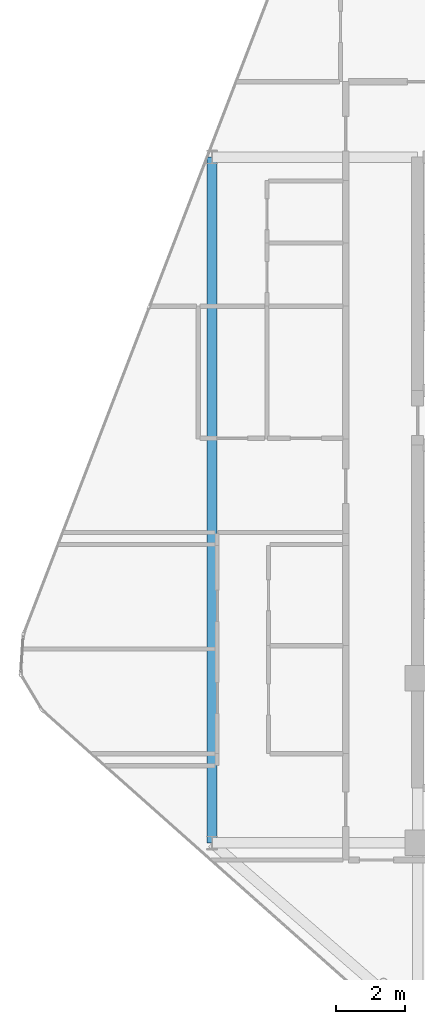
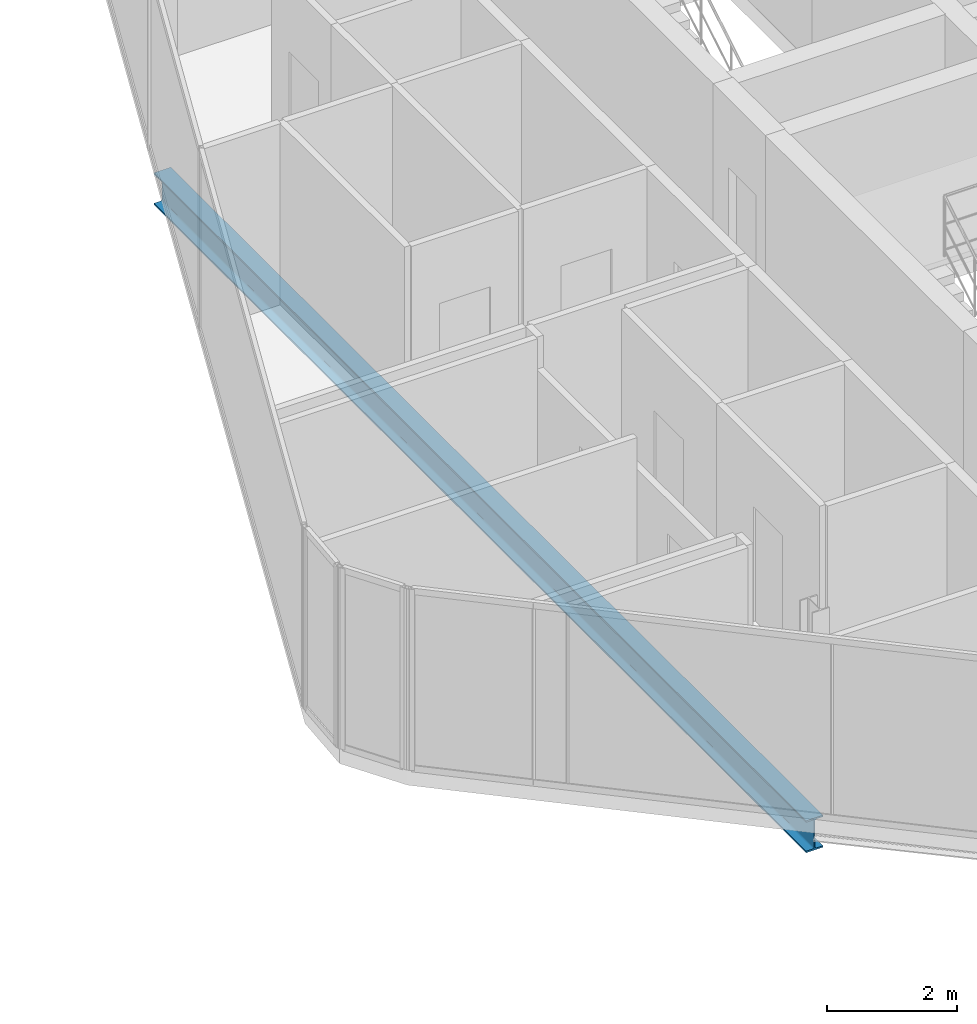
# One storey, part 9 of 27: 1 beam.
"""IFC4 building model written with IfcOpenShell, lengths in metres."""

from ifc_helpers import new_model, si_unit, direction, frame, origin, origin_2d, place, context, subcontext, project, spatial, i_section, extrude, material, material_profile, profile_set, type_object, element, save


model = new_model("IFC4")

# Units and contexts
model_context = context("Model", 3, precision=1e-05, world=origin(), true_north=direction((0.0, 1.0)))
body_context = subcontext(model_context, "Body", "Model", "MODEL_VIEW")
ifc_project = project(units=[si_unit("LENGTHUNIT", "METRE"), si_unit("AREAUNIT", "SQUARE_METRE"), si_unit("VOLUMEUNIT", "CUBIC_METRE"), si_unit("PLANEANGLEUNIT", "RADIAN"), si_unit("MASSUNIT", "GRAM", prefix="KILO")], contexts=[model_context])

# Site, building, storey
site_placement = place(None, origin())
site = spatial("IfcSite", under=ifc_project, at=site_placement, CompositionType="ELEMENT")
building_placement = place(site_placement, origin())
building = spatial("IfcBuilding", under=site, at=building_placement, Name="Keshet Zoharim Tower", CompositionType="ELEMENT")
storey_placement = place(building_placement, frame((0.0, 0.0, 262.10009765625)))
storey = spatial("IfcBuildingStorey", under=building, at=storey_placement, Name="L65", CompositionType="ELEMENT", Elevation=262.10009765625)

# Beam
ifc_material = material(Name="Steel S355", Category="steel")
ifc_material_profile = material_profile(ifc_material, i_section(OverallWidth=0.300048828125, OverallDepth=0.60009765625, WebThickness=0.015380859375, FlangeThickness=0.030029296875, FilletRadius=0.027099609375, at=origin_2d()), Name="HEB600")
ifc_profile_set = profile_set([ifc_material_profile], Name="Steel S355")
beam_type = type_object("IfcBeamType", Name="BM-LNG-HB600", PredefinedType="BEAM", material=ifc_profile_set)
beam_placement = place(storey_placement, frame((9.0, 17.89990234375, -0.610107421875), z_axis=(0.0, 1.0, 0.0), x_axis=(-1.0, 0.0, 0.0)))
element("IfcBeam", 1, at=beam_placement, inside=storey, type_object=beam_type, Name="L65 Primary Girder Y-001", PredefinedType="BEAM", context=body_context, shape_type="SweptSolid", body=[
    extrude(i_section(OverallWidth=0.300048828125, OverallDepth=0.60009765625, WebThickness=0.015380859375, FlangeThickness=0.030029296875, FilletRadius=0.027099609375, at=origin_2d()), origin(), (0.0, 0.0, 1.0), 20.0),
])

save(model, "model.ifc")
